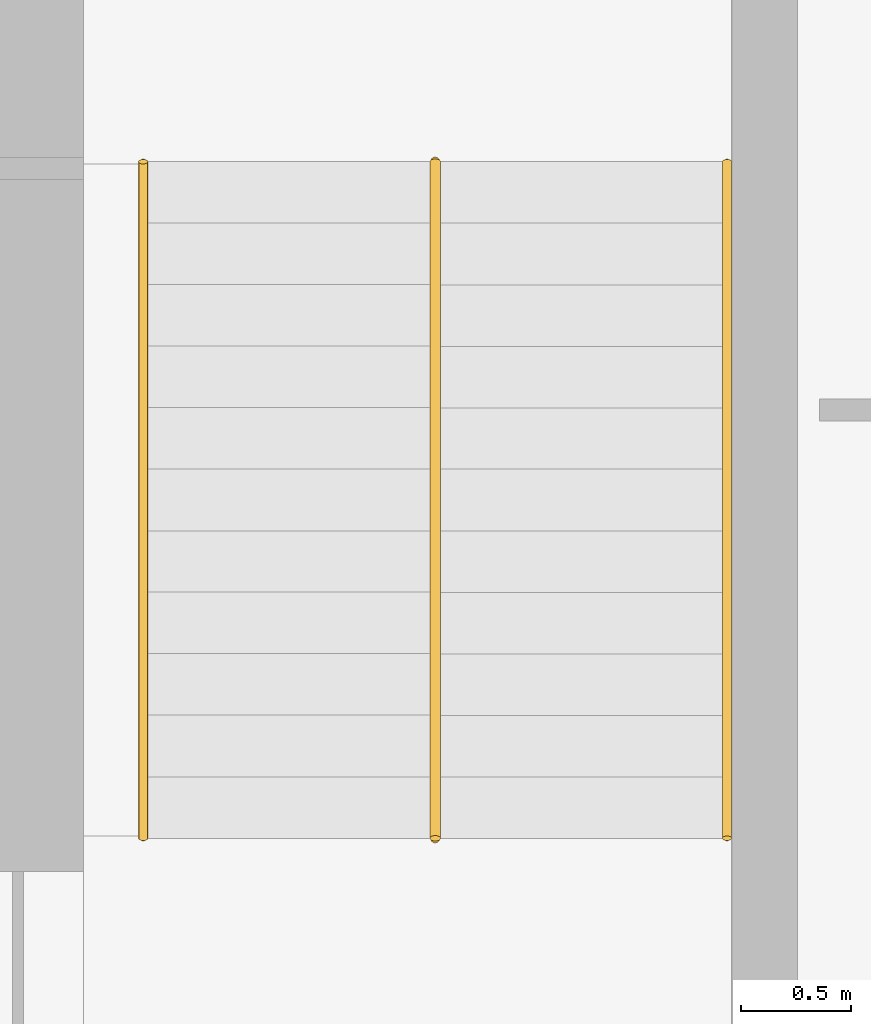
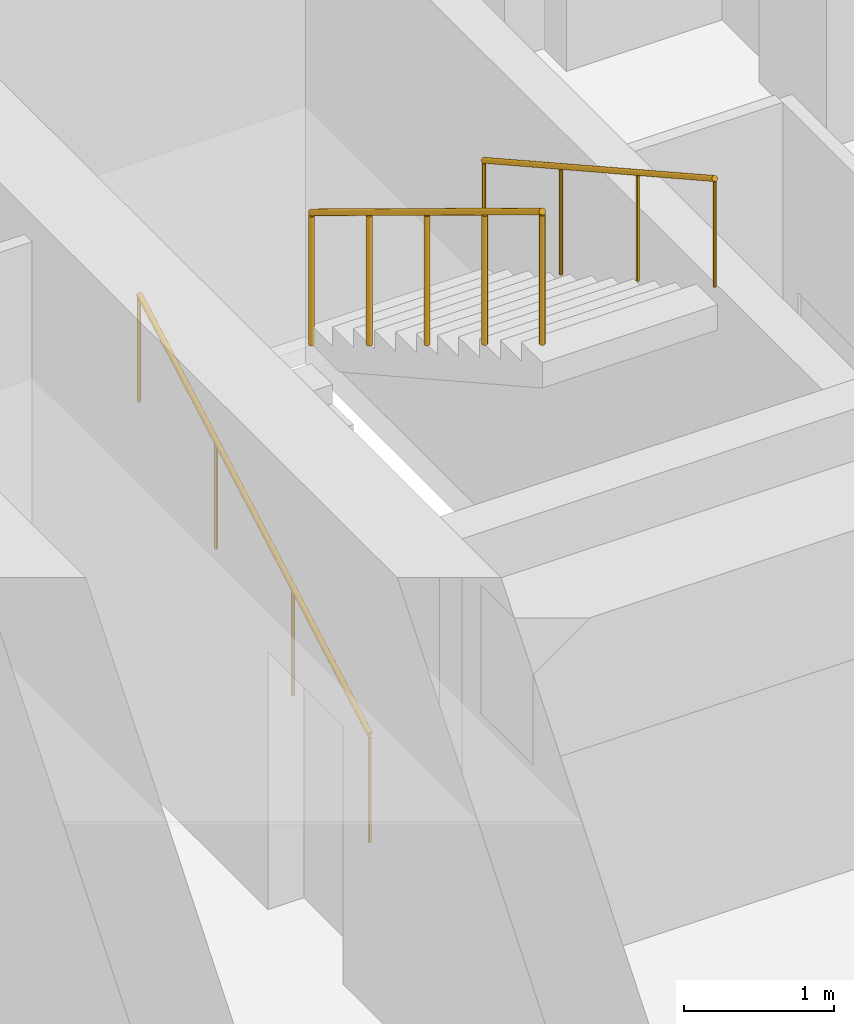
# One storey, part 11 of 11: 3 railings.
"""IFC4 building model written with IfcOpenShell, lengths in metres."""

from ifc_helpers import new_model, si_unit, direction, frame, origin, origin_2d, place, context, subcontext, project, spatial, circle, extrude, material, type_object, element, save


model = new_model("IFC4")

# Units and contexts
model_context = context("Model", 3, precision=1e-05, world=origin(), true_north=direction((0.0, 1.0)))
body_context = subcontext(model_context, "Body", "Model", "MODEL_VIEW")
ifc_project = project(units=[si_unit("LENGTHUNIT", "METRE"), si_unit("AREAUNIT", "SQUARE_METRE"), si_unit("VOLUMEUNIT", "CUBIC_METRE"), si_unit("PLANEANGLEUNIT", "RADIAN"), si_unit("MASSUNIT", "GRAM", prefix="KILO")], contexts=[model_context])

# Site, building, storey
site_placement = place(None, origin())
site = spatial("IfcSite", under=ifc_project, at=site_placement, CompositionType="ELEMENT")
building_placement = place(site_placement, origin())
building = spatial("IfcBuilding", under=site, at=building_placement, Name="Impinga Residences", CompositionType="ELEMENT")
storey_placement = place(building_placement, frame((0.0, 0.0, 248.5)))
storey = spatial("IfcBuildingStorey", under=building, at=storey_placement, Name="L62", CompositionType="ELEMENT", Elevation=248.5)

# Railings
ifc_material_1 = material(Name="Steel guard, powder coated", Category="steel")
railing_type_1 = type_object("IfcRailingType", Name="GR1 stair guard 1100", PredefinedType="GUARDRAIL", material=ifc_material_1)
railing_1_placement = place(storey_placement, frame((3.10009765625, 25.21142578125, 1.875)))
element("IfcRailing", 1, at=railing_1_placement, inside=storey, type_object=railing_type_1, Name="Stair guard GR1 WS1 L62", PredefinedType="GUARDRAIL", context=body_context, shape_type="SweptSolid", body=[
    extrude(circle(Radius=0.02392578125, at=origin_2d()), frame((0.0, 0.0, 1.076171875), z_axis=(0.0, -0.854159328187, 0.520011386482), x_axis=(1.0, 0.0, 0.0)), (0.0, 0.0, 1.0), 3.605712890625),
    extrude(circle(Radius=0.02099609375, at=origin_2d()), origin(), (0.0, 0.0, 1.0), 1.052001953125),
    extrude(circle(Radius=0.02099609375, at=origin_2d()), frame((0.0, -0.77001953125, 0.46875)), (0.0, 0.0, 1.0), 1.052001953125),
    extrude(circle(Radius=0.02099609375, at=origin_2d()), frame((0.0, -1.5400390625, 0.9375)), (0.0, 0.0, 1.0), 1.052001953125),
    extrude(circle(Radius=0.02099609375, at=origin_2d()), frame((0.0, -2.309814453125, 1.40625)), (0.0, 0.0, 1.0), 1.052001953125),
    extrude(circle(Radius=0.02099609375, at=origin_2d()), frame((0.0, -3.079833984375, 1.875)), (0.0, 0.0, 1.0), 1.052001953125),
])
ifc_material_2 = material(Name="Steel handrail tube 42 mm, powder coated", Category="steel")
railing_type_2 = type_object("IfcRailingType", Name="HR1 stair handrail, 42 mm steel tube, 900 above the pitch line", PredefinedType="HANDRAIL", material=ifc_material_2)
railing_2_placement = place(storey_placement, frame((1.77099609375, 22.131591796875, 0.15625)))
element("IfcRailing", 2, at=railing_2_placement, inside=storey, type_object=railing_type_2, Name="Stair handrail HR1 WS1 L62", PredefinedType="HANDRAIL", context=body_context, shape_type="SweptSolid", body=[
    extrude(circle(Radius=0.02099609375, at=origin_2d()), frame((0.0, 0.0, 0.87890625), z_axis=(0.0, 0.873225103656, 0.487317061414), x_axis=(-1.0, 0.0, 0.0)), (0.0, 0.0, 1.0), 3.52685546875),
    extrude(circle(Radius=0.012451171875, at=origin_2d()), origin(), (0.0, 0.0, 1.0), 0.85791015625),
    extrude(circle(Radius=0.012451171875, at=origin_2d()), frame((0.0, 1.026611328125, 0.572998046875)), (0.0, 0.0, 1.0), 0.85791015625),
    extrude(circle(Radius=0.012451171875, at=origin_2d()), frame((0.0, 2.05322265625, 1.145751953125)), (0.0, 0.0, 1.0), 0.85791015625),
    extrude(circle(Radius=0.012451171875, at=origin_2d()), frame((0.0, 3.079833984375, 1.71875)), (0.0, 0.0, 1.0), 0.85791015625),
])
railing_3_placement = place(storey_placement, frame((4.428955078125, 25.21142578125, 2.03125)))
element("IfcRailing", 3, at=railing_3_placement, inside=storey, type_object=railing_type_2, Name="Stair handrail HR1 WS1 L62", PredefinedType="HANDRAIL", context=body_context, shape_type="SweptSolid", body=[
    extrude(circle(Radius=0.02099609375, at=origin_2d()), frame((0.0, 0.0, 0.87890625), z_axis=(0.0, -0.873225103656, 0.487317061414), x_axis=(1.0, 0.0, 0.0)), (0.0, 0.0, 1.0), 3.52685546875),
    extrude(circle(Radius=0.012451171875, at=origin_2d()), origin(), (0.0, 0.0, 1.0), 0.85791015625),
    extrude(circle(Radius=0.012451171875, at=origin_2d()), frame((0.0, -1.026611328125, 0.572998046875)), (0.0, 0.0, 1.0), 0.85791015625),
    extrude(circle(Radius=0.012451171875, at=origin_2d()), frame((0.0, -2.05322265625, 1.145751953125)), (0.0, 0.0, 1.0), 0.85791015625),
    extrude(circle(Radius=0.012451171875, at=origin_2d()), frame((0.0, -3.079833984375, 1.71875)), (0.0, 0.0, 1.0), 0.85791015625),
])

save(model, "model.ifc")
